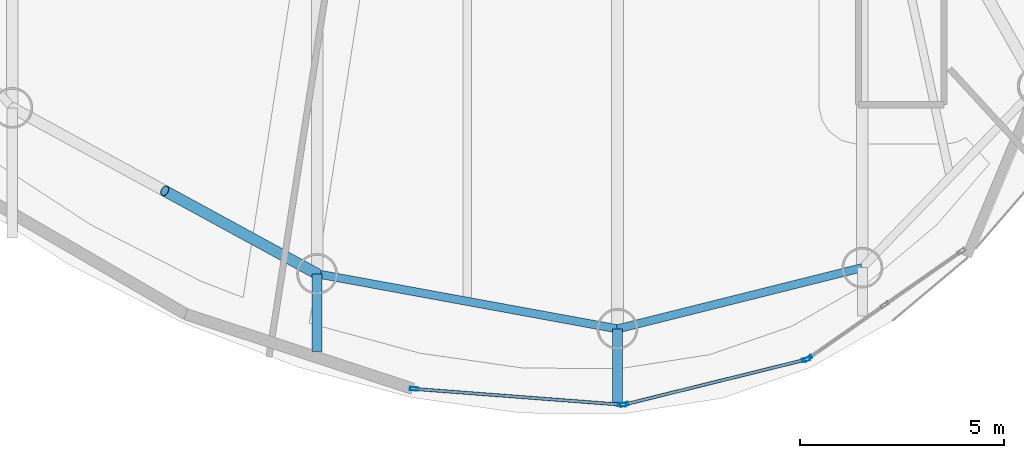
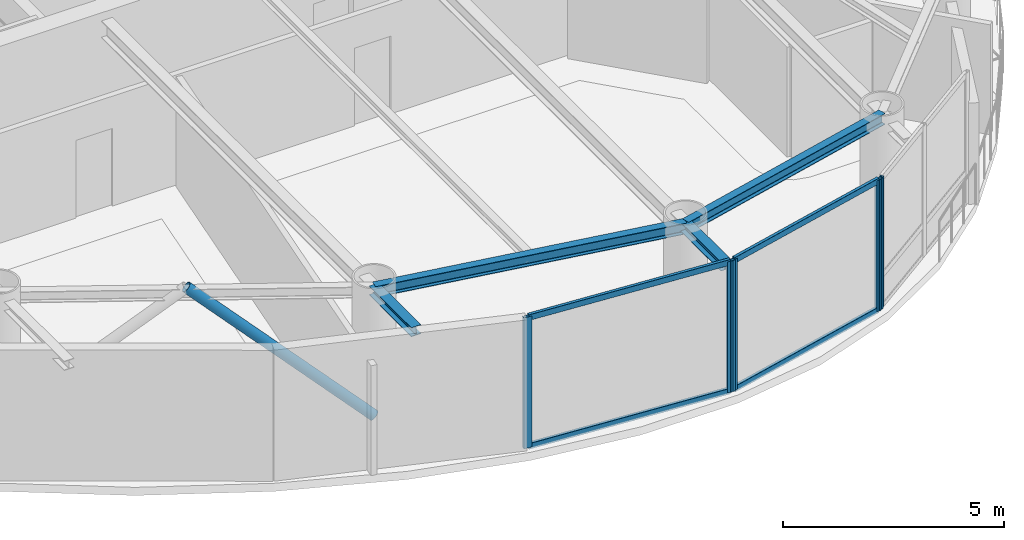
# One storey, part 3 of 23: 10 members, 4 beams, 3 elements without a shape of their own.
"""IFC4 building model written with IfcOpenShell, lengths in metres."""

from ifc_helpers import new_model, si_unit, direction, frame, origin, origin_2d, place, context, subcontext, project, spatial, hollow_rectangle, hollow_circle, i_section, extrude, material, layer, layer_set, material_profile, profile_set, type_object, element, aggregate, save


model = new_model("IFC4")

# Units and contexts
model_context = context("Model", 3, precision=1e-05, world=origin(), true_north=direction((0.0, 1.0)))
body_context = subcontext(model_context, "Body", "Model", "MODEL_VIEW")
ifc_project = project(units=[si_unit("LENGTHUNIT", "METRE"), si_unit("AREAUNIT", "SQUARE_METRE"), si_unit("VOLUMEUNIT", "CUBIC_METRE"), si_unit("PLANEANGLEUNIT", "RADIAN"), si_unit("MASSUNIT", "GRAM", prefix="KILO")], contexts=[model_context])

# Site, building, storey
site_placement = place(None, origin())
site = spatial("IfcSite", under=ifc_project, at=site_placement, CompositionType="ELEMENT")
building_placement = place(site_placement, origin())
building = spatial("IfcBuilding", under=site, at=building_placement, Name="Bramvorn Convention Spire", CompositionType="ELEMENT")
storey_placement = place(building_placement, frame((0.0, 0.0, 295.949951171875)))
storey = spatial("IfcBuildingStorey", under=building, at=storey_placement, Name="L75", CompositionType="ELEMENT", Elevation=295.949951171875)

# Beams
ifc_material_1 = material(Name="Steel CSA G40.21 Grade 350 (350W)", Category="steel")
ifc_material_profile_1 = material_profile(ifc_material_1, i_section(OverallWidth=0.25390625, OverallDepth=0.2529296875, WebThickness=0.008544921875, FlangeThickness=0.01416015625, FilletRadius=0.011962890625, at=origin_2d()))
ifc_profile_set_1 = profile_set([ifc_material_profile_1], Name="Steel CSA G40.21 Grade 350 (350W) - W250X73")
beam_type_1 = type_object("IfcBeamType", Name="BM-W250X73", PredefinedType="BEAM", material=ifc_profile_set_1)
beam_1_placement = place(storey_placement, frame((35.8154296875, 6.44921875, 3.49853515625), z_axis=(0.0, -1.0, 0.0), x_axis=(1.0, 0.0, 0.0)))
element("IfcBeam", 1, at=beam_1_placement, inside=storey, type_object=beam_type_1, Name="L75 slab-edge cantilever tip beam MC15", PredefinedType="BEAM", context=body_context, shape_type="SweptSolid", body=[
    extrude(i_section(OverallWidth=0.25390625, OverallDepth=0.2529296875, WebThickness=0.008544921875, FlangeThickness=0.01416015625, FilletRadius=0.011962890625, at=origin_2d()), origin(), (0.0, 0.0, 1.0), 1.909423828125),
])
beam_2_placement = place(storey_placement, frame((43.1884765625, 5.09912109375, 3.49853515625), z_axis=(0.0, -1.0, 0.0), x_axis=(1.0, 0.0, 0.0)))
element("IfcBeam", 2, at=beam_2_placement, inside=storey, type_object=beam_type_1, Name="L75 slab-edge cantilever tip beam MC16", PredefinedType="BEAM", context=body_context, shape_type="SweptSolid", body=[
    extrude(i_section(OverallWidth=0.25390625, OverallDepth=0.2529296875, WebThickness=0.008544921875, FlangeThickness=0.01416015625, FilletRadius=0.011962890625, at=origin_2d()), origin(), (0.0, 0.0, 1.0), 1.82177734375),
])
ifc_material_profile_2 = material_profile(ifc_material_1, i_section(OverallWidth=0.202880859375, OverallDepth=0.302978515625, WebThickness=0.007568359375, FlangeThickness=0.01318359375, FilletRadius=0.013916015625, at=origin_2d()))
ifc_profile_set_2 = profile_set([ifc_material_profile_2], Name="Steel CSA G40.21 Grade 350 (350W) - W310X60")
beam_type_2 = type_object("IfcBeamType", Name="BM-W310X60", PredefinedType="JOIST", material=ifc_profile_set_2)
beam_3_placement = place(storey_placement, frame((35.8154296875, 6.44921875, 3.4736328125), z_axis=(0.983645049461, -0.180117785547, 0.0), x_axis=(0.180117785547, 0.983645049461, 0.0)))
element("IfcBeam", 3, at=beam_3_placement, inside=storey, type_object=beam_type_2, Name="L75 mega-column ring beam 15", PredefinedType="JOIST", context=body_context, shape_type="SweptSolid", body=[
    extrude(i_section(OverallWidth=0.202880859375, OverallDepth=0.302978515625, WebThickness=0.007568359375, FlangeThickness=0.01318359375, FilletRadius=0.013916015625, at=origin_2d()), origin(), (0.0, 0.0, 1.0), 7.49560546875),
])
beam_4_placement = place(storey_placement, frame((43.1884765625, 5.09912109375, 3.4736328125), z_axis=(0.970177255997, 0.24239655927, 0.0), x_axis=(-0.24239655927, 0.970177255997, 0.0)))
element("IfcBeam", 4, at=beam_4_placement, inside=storey, type_object=beam_type_2, Name="L75 mega-column ring beam 16", PredefinedType="JOIST", context=body_context, shape_type="SweptSolid", body=[
    extrude(i_section(OverallWidth=0.202880859375, OverallDepth=0.302978515625, WebThickness=0.007568359375, FlangeThickness=0.01318359375, FilletRadius=0.013916015625, at=origin_2d()), origin(), (0.0, 0.0, 1.0), 6.1962890625),
])

# Curtain wall, member
ifc_material_2 = material(Name="Anodised Bronze Unitised Curtain Wall", Category="aluminium")
ifc_layer = layer(ifc_material_2, 0.179931640625)
ifc_layer_set = layer_set([ifc_layer], Name="Anodised Bronze Unitised Curtain Wall - CW-OFF-FRIT")
curtain_wall_type = type_object("IfcCurtainWallType", Name="CW-OFF-FRIT", PredefinedType="USERDEFINED", material=ifc_layer_set)
curtain_wall_1_placement = place(storey_placement, origin())
curtain_wall_1 = element("IfcCurtainWall", 5, at=curtain_wall_1_placement, inside=storey, type_object=curtain_wall_type, Name="L75 fritted glass curtain wall 01", ObjectType="UNITISED CURTAIN WALL", PredefinedType="USERDEFINED")
ifc_material_3 = material(Name="Anodised Bronze Aluminium 6063-T6", Category="aluminium")
ifc_material_profile_3 = material_profile(ifc_material_3, hollow_rectangle(XDim=0.080078125, YDim=0.199951171875, WallThickness=0.00390625, InnerFilletRadius=0.0009765625, OuterFilletRadius=0.00390625, at=origin_2d()))
ifc_profile_set_3 = profile_set([ifc_material_profile_3], Name="Anodised Bronze Aluminium 6063-T6 - CWM80X200")
member_type_1 = type_object("IfcMemberType", Name="CW-MUL-180", PredefinedType="MULLION", material=ifc_profile_set_3)
member_1_placement = place(storey_placement, frame((47.8671875, 4.36962890625, 0.0), z_axis=(0.0, 0.0, 1.0), x_axis=(0.573511409168, -0.819197572967, 0.0)))
member_1 = element("IfcMember", 6, at=member_1_placement, type_object=member_type_1, Name="CW3 mullion 3", PredefinedType="MULLION", context=body_context, shape_type="SweptSolid", body=[
    extrude(hollow_rectangle(XDim=0.080078125, YDim=0.199951171875, WallThickness=0.00390625, InnerFilletRadius=0.0009765625, OuterFilletRadius=0.00390625, at=origin_2d()), origin(), (0.0, 0.0, 1.0), 3.625),
])
aggregate(curtain_wall_1, [member_1])

# Curtain wall, members
curtain_wall_2_placement = place(storey_placement, origin())
curtain_wall_2 = element("IfcCurtainWall", 7, at=curtain_wall_2_placement, inside=storey, type_object=curtain_wall_type, Name="L75 fritted glass curtain wall 23", ObjectType="UNITISED CURTAIN WALL", PredefinedType="USERDEFINED")
member_2_placement = place(storey_placement, frame((43.29833984375, 3.2373046875, 0.0), z_axis=(0.0, 0.0, 1.0), x_axis=(-0.075937566659, -0.997112574372, 0.0)))
member_2 = element("IfcMember", 8, at=member_2_placement, type_object=member_type_1, Name="CW3 mullion 1", PredefinedType="MULLION", context=body_context, shape_type="SweptSolid", body=[
    extrude(hollow_rectangle(XDim=0.080078125, YDim=0.199951171875, WallThickness=0.00390625, InnerFilletRadius=0.0009765625, OuterFilletRadius=0.00390625, at=origin_2d()), origin(), (0.0, 0.0, 1.0), 3.625),
])
member_3_placement = place(storey_placement, frame((38.19384765625, 3.6259765625, 0.0), z_axis=(0.0, 0.0, 1.0), x_axis=(-0.075937566659, -0.997112574372, 0.0)))
member_3 = element("IfcMember", 9, at=member_3_placement, type_object=member_type_1, Name="CW3 mullion 2", PredefinedType="MULLION", context=body_context, shape_type="SweptSolid", body=[
    extrude(hollow_rectangle(XDim=0.080078125, YDim=0.199951171875, WallThickness=0.00390625, InnerFilletRadius=0.0009765625, OuterFilletRadius=0.00390625, at=origin_2d()), origin(), (0.0, 0.0, 1.0), 3.625),
])

curtain_wall_3_placement = place(storey_placement, origin())
curtain_wall_3 = element("IfcCurtainWall", 10, at=curtain_wall_3_placement, inside=storey, type_object=curtain_wall_type, Name="L75 fritted glass curtain wall 24", ObjectType="UNITISED CURTAIN WALL", PredefinedType="USERDEFINED")
member_4_placement = place(storey_placement, frame((47.8134765625, 4.34521484375, 0.0), z_axis=(0.0, 0.0, 1.0), x_axis=(0.240293628569, -0.97070024831, 0.0)))
member_4 = element("IfcMember", 11, at=member_4_placement, type_object=member_type_1, Name="CW3 mullion 1", PredefinedType="MULLION", context=body_context, shape_type="SweptSolid", body=[
    extrude(hollow_rectangle(XDim=0.080078125, YDim=0.199951171875, WallThickness=0.00390625, InnerFilletRadius=0.0009765625, OuterFilletRadius=0.00390625, at=origin_2d()), origin(), (0.0, 0.0, 1.0), 3.625),
])
member_5_placement = place(storey_placement, frame((43.357421875, 3.2421875, 0.0), z_axis=(0.0, 0.0, 1.0), x_axis=(0.240293628569, -0.97070024831, 0.0)))
member_5 = element("IfcMember", 12, at=member_5_placement, type_object=member_type_1, Name="CW3 mullion 2", PredefinedType="MULLION", context=body_context, shape_type="SweptSolid", body=[
    extrude(hollow_rectangle(XDim=0.080078125, YDim=0.199951171875, WallThickness=0.00390625, InnerFilletRadius=0.0009765625, OuterFilletRadius=0.00390625, at=origin_2d()), origin(), (0.0, 0.0, 1.0), 3.625),
])

# Member
ifc_material_profile_4 = material_profile(ifc_material_3, hollow_rectangle(XDim=0.080078125, YDim=0.159912109375, WallThickness=0.00390625, InnerFilletRadius=0.0009765625, OuterFilletRadius=0.00390625, at=origin_2d()))
ifc_profile_set_4 = profile_set([ifc_material_profile_4], Name="Anodised Bronze Aluminium 6063-T6 - CWT80X160")
member_type_2 = type_object("IfcMemberType", Name="CW-TRN-150", PredefinedType="USERDEFINED", material=ifc_profile_set_4)
member_6_placement = place(storey_placement, frame((43.268310546875, 3.239501953125, 0.030029296875), z_axis=(-0.997111265096, 0.075954756389, 0.0), x_axis=(-0.075954756389, -0.997111265096, 0.0)))
member_6 = element("IfcMember", 13, at=member_6_placement, type_object=member_type_2, Name="CW3 transom 1.1", ObjectType="TRANSOM", PredefinedType="USERDEFINED", context=body_context, shape_type="SweptSolid", body=[
    extrude(hollow_rectangle(XDim=0.080078125, YDim=0.159912109375, WallThickness=0.00390625, InnerFilletRadius=0.0009765625, OuterFilletRadius=0.00390625, at=origin_2d()), origin(), (0.0, 0.0, 1.0), 5.059326171875),
])

member_7_placement = place(storey_placement, frame((43.268310546875, 3.239501953125, 3.594970703125), z_axis=(-0.997111265096, 0.075954756389, 0.0), x_axis=(-0.075954756389, -0.997111265096, 0.0)))
member_7 = element("IfcMember", 14, at=member_7_placement, type_object=member_type_2, Name="CW3 transom 1.2", ObjectType="TRANSOM", PredefinedType="USERDEFINED", context=body_context, shape_type="SweptSolid", body=[
    extrude(hollow_rectangle(XDim=0.080078125, YDim=0.159912109375, WallThickness=0.00390625, InnerFilletRadius=0.0009765625, OuterFilletRadius=0.00390625, at=origin_2d()), origin(), (0.0, 0.0, 1.0), 5.059326171875),
])

aggregate(curtain_wall_2, [member_2, member_3, member_6, member_7])

member_8_placement = place(storey_placement, frame((47.7841796875, 4.338134765625, 0.030029296875), z_axis=(-0.970700982836, -0.240290661326, 0.0), x_axis=(0.240290661326, -0.970700982836, 0.0)))
member_8 = element("IfcMember", 15, at=member_8_placement, type_object=member_type_2, Name="CW3 transom 1.1", ObjectType="TRANSOM", PredefinedType="USERDEFINED", context=body_context, shape_type="SweptSolid", body=[
    extrude(hollow_rectangle(XDim=0.080078125, YDim=0.159912109375, WallThickness=0.00390625, InnerFilletRadius=0.0009765625, OuterFilletRadius=0.00390625, at=origin_2d()), origin(), (0.0, 0.0, 1.0), 4.530517578125),
])

member_9_placement = place(storey_placement, frame((47.7841796875, 4.338134765625, 3.594970703125), z_axis=(-0.970700982836, -0.240290661326, 0.0), x_axis=(0.240290661326, -0.970700982836, 0.0)))
member_9 = element("IfcMember", 16, at=member_9_placement, type_object=member_type_2, Name="CW3 transom 1.2", ObjectType="TRANSOM", PredefinedType="USERDEFINED", context=body_context, shape_type="SweptSolid", body=[
    extrude(hollow_rectangle(XDim=0.080078125, YDim=0.159912109375, WallThickness=0.00390625, InnerFilletRadius=0.0009765625, OuterFilletRadius=0.00390625, at=origin_2d()), origin(), (0.0, 0.0, 1.0), 4.530517578125),
])

aggregate(curtain_wall_3, [member_4, member_5, member_8, member_9])

ifc_material_profile_5 = material_profile(ifc_material_1, hollow_circle(Radius=0.136474609375, WallThickness=0.0126953125, at=origin_2d()))
ifc_profile_set_5 = profile_set([ifc_material_profile_5], Name="Steel CSA G40.21 Grade 350 (350W) - CHS273X13")
member_type_3 = type_object("IfcMemberType", Name="MBR-CHS273X13", PredefinedType="BRACE", material=ifc_profile_set_5)
member_10_placement = place(storey_placement, frame((35.8154296875, 6.44921875, 0.0), z_axis=(-0.668620574392, 0.364261554927, 0.64827466949), x_axis=(-0.478406114461, -0.878138707521, 0.0)))
element("IfcMember", 17, at=member_10_placement, inside=storey, type_object=member_type_3, Name="L75 perimeter Gothic lancet brace 14B", PredefinedType="BRACE", context=body_context, shape_type="SweptSolid", body=[
    extrude(hollow_circle(Radius=0.136474609375, WallThickness=0.0126953125, at=origin_2d()), origin(), (0.0, 0.0, 1.0), 5.591796875),
])

save(model, "model.ifc")
